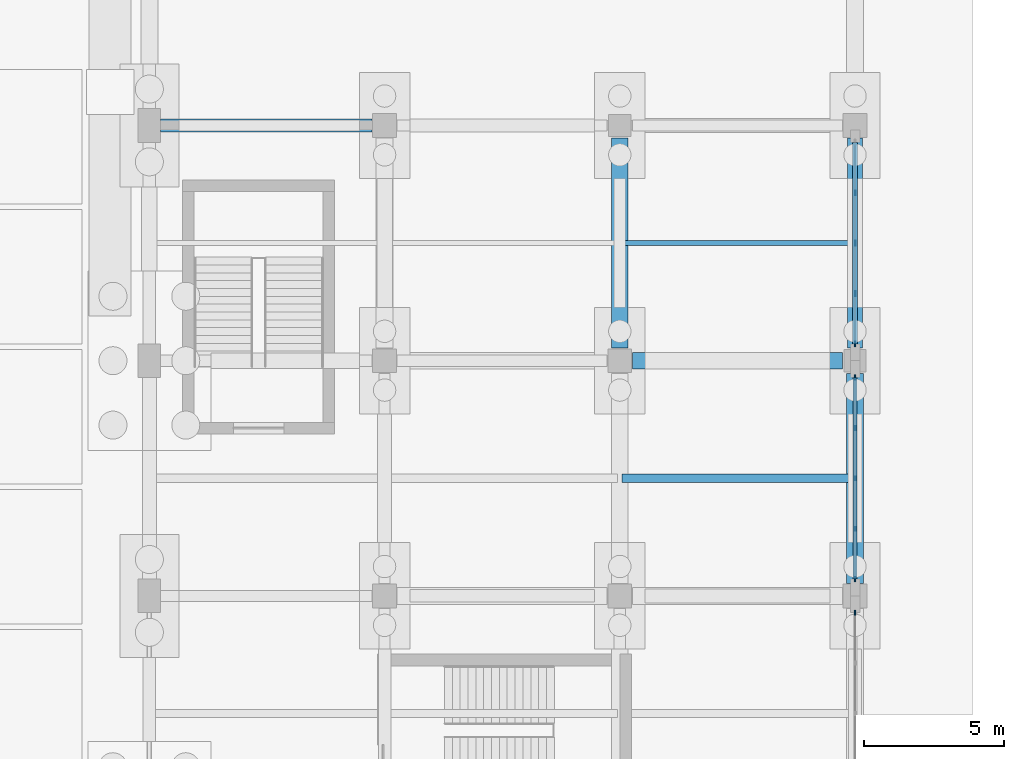
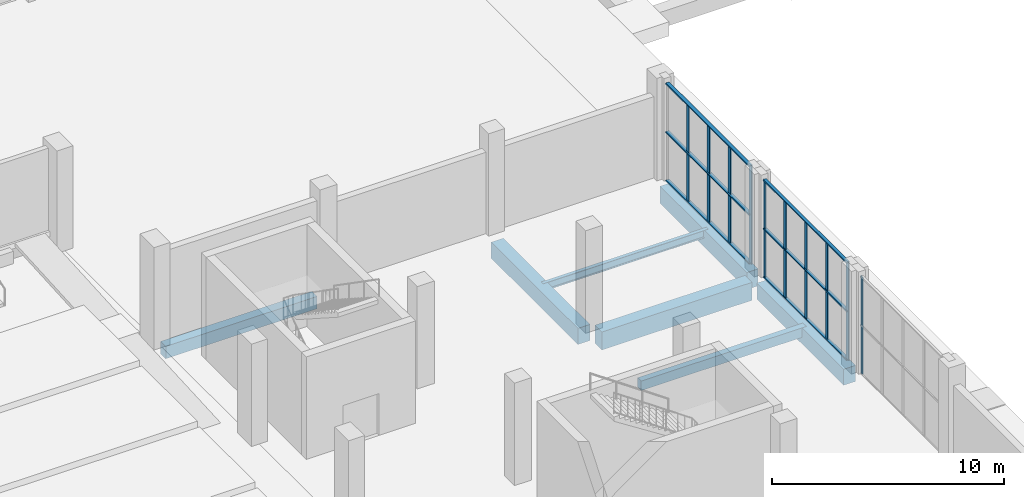
# One storey, part 40 of 82: 16 members, 7 beams, 3 elements without a shape of their own.
"""IFC4 building model written with IfcOpenShell, lengths in metres."""

import ifcopenshell
import ifcopenshell.guid

model = None  # the IFC model being written
_history = None  # IfcOwnerHistory: only IFC2X3 demands one
_inside = {}  # id of a spatial element -> (the spatial element, [elements in it])
_under = {}  # id of a project, library or spatial element -> (it, [spatial elements below it])
_declared = {}  # id of a project -> (the project, [libraries it declares])
_typed = {}  # id of a type object -> (the type object, [elements of that type])
_made_of = {}  # id of a material, layer set ... -> (it, [elements and type objects made of it])


def new_model(schema):
    """Start an empty IFC model of exactly this schema.

    Asked for "IFC4X3", IfcOpenShell would pick the latest addendum, in which some entities
    have other attributes; the version numbers below select the first issue.
    IFC2X3 requires an IfcOwnerHistory on every rooted entity: one is made here for all.
    """
    global model, _history
    if schema == "IFC4X3":
        model = ifcopenshell.file(schema_version=(4, 3, 0, 0))
    else:
        model = ifcopenshell.file(schema=schema)
    _inside.clear()
    _under.clear()
    _declared.clear()
    _typed.clear()
    _made_of.clear()
    _history = None
    if model.schema == "IFC2X3":
        org = make("IfcOrganization", Name="unknown")
        user = make(
            "IfcPersonAndOrganization",
            ThePerson=make("IfcPerson", FamilyName="unknown"),
            TheOrganization=org,
        )
        app = make(
            "IfcApplication",
            ApplicationDeveloper=org,
            Version="unknown",
            ApplicationFullName="unknown",
            ApplicationIdentifier="unknown",
        )
        _history = make(
            "IfcOwnerHistory",
            OwningUser=user,
            OwningApplication=app,
            ChangeAction="ADDED",
            CreationDate=0,
        )
    return model


def make(cls, **values):
    """One entity of the class cls with the attributes given. An attribute that is None is left unset."""
    return model.create_entity(
        cls, **{name: value for name, value in values.items() if value is not None}
    )


def rooted(cls, **values):
    """An entity with a GlobalId (a new one), such as an element, a storey or a relation."""
    return make(cls, GlobalId=ifcopenshell.guid.new(), OwnerHistory=_history, **values)


def si_unit(unit_type, name, prefix=None):
    """IfcSIUnit, for example si_unit("LENGTHUNIT", "METRE", prefix="MILLI")."""
    return make("IfcSIUnit", UnitType=unit_type, Prefix=prefix, Name=name)


def derived_unit(unit_type, elements):
    """IfcDerivedUnit: a product of units, each with its exponent."""
    return make(
        "IfcDerivedUnit",
        Elements=[
            make("IfcDerivedUnitElement", Unit=unit, Exponent=power)
            for unit, power in elements
        ],
        UnitType=unit_type,
    )


def assignment(units):
    """IfcUnitAssignment: the units of a project."""
    return None if units is None else make("IfcUnitAssignment", Units=units)


def point(xyz):
    """IfcCartesianPoint."""
    return None if xyz is None else make("IfcCartesianPoint", Coordinates=xyz)


def direction(xyz):
    """IfcDirection."""
    return None if xyz is None else make("IfcDirection", DirectionRatios=xyz)


def frame(location, z_axis=None, x_axis=None):
    """IfcAxis2Placement3D, a coordinate frame: its origin and axes. An axis left out is left unset."""
    return make(
        "IfcAxis2Placement3D",
        Location=point(location),
        Axis=direction(z_axis),
        RefDirection=direction(x_axis),
    )


def frame_2d(location, x_axis=None):
    """IfcAxis2Placement2D, a coordinate frame in the plane: its origin and x axis."""
    return make(
        "IfcAxis2Placement2D", Location=point(location), RefDirection=direction(x_axis)
    )


def origin():
    """The frame at (0, 0, 0) with its axes left unset."""
    return frame((0.0, 0.0, 0.0))


def origin_2d():
    """The frame at (0, 0) in the plane with its x axis left unset."""
    return frame_2d((0.0, 0.0))


def place(relative_to, where):
    """IfcLocalPlacement: puts the frame where relative to a parent placement (None: the world)."""
    return make(
        "IfcLocalPlacement", PlacementRelTo=relative_to, RelativePlacement=where
    )


def context(
    kind, dimensions, precision=None, world=None, true_north=None, identifier=None
):
    """IfcGeometricRepresentationContext, for example the 3D "Model" context."""
    return make(
        "IfcGeometricRepresentationContext",
        ContextIdentifier=identifier,
        ContextType=kind,
        CoordinateSpaceDimension=dimensions,
        Precision=precision,
        WorldCoordinateSystem=world,
        TrueNorth=true_north,
    )


def subcontext(parent, identifier, kind, view, scale=None):
    """IfcGeometricRepresentationSubContext, for example "Body" below "Model"."""
    return make(
        "IfcGeometricRepresentationSubContext",
        ContextIdentifier=identifier,
        ContextType=kind,
        ParentContext=parent,
        TargetScale=scale,
        TargetView=view,
    )


def project(units=None, contexts=None):
    """IfcProject with its units and contexts."""
    return rooted(
        "IfcProject",
        Name="project",
        RepresentationContexts=contexts,
        UnitsInContext=assignment(units),
    )


def spatial(cls, under=None, at=None, **own):
    """A site, building, storey or space (cls), placed at a placement, below another one or the project."""
    s = rooted(cls, ObjectPlacement=at, **own)
    if under is not None:
        _under.setdefault(under.id(), (under, []))[1].append(s)
    return s


def profile(cls, at=None, kind="AREA", **sizes):
    """A parametric profile (cls). Its sizes go by their IFC names, for example OverallWidth=200.0."""
    return make(cls, ProfileType=kind, Position=at, **sizes)


def rectangle(**sizes):
    """IfcRectangleProfileDef."""
    return profile("IfcRectangleProfileDef", **sizes)


def i_section(**sizes):
    """IfcIShapeProfileDef."""
    return profile("IfcIShapeProfileDef", **sizes)


def extrude(swept, where, along, depth):
    """IfcExtrudedAreaSolid: the profile swept, set in the frame where, extruded along a direction by depth."""
    return make(
        "IfcExtrudedAreaSolid",
        SweptArea=swept,
        Position=where,
        ExtrudedDirection=direction(along),
        Depth=depth,
    )


def shape(context_of_items, identifier, shape_type, items):
    """IfcShapeRepresentation: the items that make up one representation, for example the "Body"."""
    return make(
        "IfcShapeRepresentation",
        ContextOfItems=context_of_items,
        RepresentationIdentifier=identifier,
        RepresentationType=shape_type,
        Items=items,
    )


def material(Name=None, Category=None):
    """IfcMaterial."""
    return make("IfcMaterial", Name=Name, Category=Category)


def material_profile(
    of_material, cross_section, Name=None, Category=None, Priority=None
):
    """IfcMaterialProfile: a cross section and its material."""
    return make(
        "IfcMaterialProfile",
        Name=Name,
        Material=of_material,
        Profile=cross_section,
        Priority=Priority,
        Category=Category,
    )


def profile_set(profiles, Name=None, composite=None):
    """IfcMaterialProfileSet."""
    return make(
        "IfcMaterialProfileSet",
        Name=Name,
        MaterialProfiles=profiles,
        CompositeProfile=composite,
    )


def made_of(thing, what):
    """Note that an element or type object is made of a material, layer set ...; save() writes the relation."""
    if what is not None:
        _made_of.setdefault(what.id(), (what, []))[1].append(thing)
    return thing


def type_object(cls, material=None, **own):
    """A type object (cls), such as IfcWallType, which elements share."""
    return made_of(rooted(cls, **own), material)


def element(
    cls,
    number,
    at=None,
    inside=None,
    cuts=None,
    type_object=None,
    material=None,
    context=None,
    identifier="Body",
    shape_type=None,
    held_by="IfcProductDefinitionShape",
    body=None,
    shapes=None,
    **own,
):
    """One element of the class cls, such as IfcWall. Its Tag is "e" and its number.

    at: its placement. inside: the storey or other place that contains it. cuts: it is an
    opening in that element (IfcRelVoidsElement). A single representation is given by context,
    identifier, shape_type and body (its items); several are given by shapes. held_by: the class
    of the entity that holds the representations. save() writes the other relations.
    """
    e = rooted(cls, Tag="e%d" % number, ObjectPlacement=at, **own)
    if body is not None:
        shapes = [shape(context, identifier, shape_type, body)]
    if shapes is not None:
        e.Representation = make(held_by, Representations=shapes)
    if inside is not None:
        _inside.setdefault(inside.id(), (inside, []))[1].append(e)
    if cuts is not None:
        rooted(
            "IfcRelVoidsElement", RelatingBuildingElement=cuts, RelatedOpeningElement=e
        )
    if type_object is not None:
        _typed.setdefault(type_object.id(), (type_object, []))[1].append(e)
    return made_of(e, material)


def aggregate(whole, parts):
    """IfcRelAggregates: a whole, such as a stair, and the parts it consists of."""
    return rooted("IfcRelAggregates", RelatingObject=whole, RelatedObjects=parts)


def save(model, path):
    """Write the relations noted so far, then the file.

    IfcRelAggregates (storeys below a building ...), IfcRelContainedInSpatialStructure (elements
    in a storey), IfcRelDefinesByType, IfcRelAssociatesMaterial and IfcRelDeclares: one each for
    every whole, place, type object, material and project.
    """
    for whole, parts in _under.values():
        aggregate(whole, parts)
    for where, things in _inside.values():
        rooted(
            "IfcRelContainedInSpatialStructure",
            RelatedElements=things,
            RelatingStructure=where,
        )
    for kind, things in _typed.values():
        rooted("IfcRelDefinesByType", RelatedObjects=things, RelatingType=kind)
    for what, things in _made_of.values():
        rooted("IfcRelAssociatesMaterial", RelatedObjects=things, RelatingMaterial=what)
    for by, libraries in _declared.values():
        rooted("IfcRelDeclares", RelatingContext=by, RelatedDefinitions=libraries)
    model.write(path)


model = new_model("IFC4")

# Units and contexts
model_context = context("Model", 3, precision=1e-05, world=origin(), true_north=direction((0.0, 1.0)))
body_context = subcontext(model_context, "Body", "Model", "MODEL_VIEW")
ifc_project = project(units=[si_unit("LENGTHUNIT", "METRE"), si_unit("AREAUNIT", "SQUARE_METRE"), si_unit("VOLUMEUNIT", "CUBIC_METRE"), si_unit("PLANEANGLEUNIT", "RADIAN"), si_unit("MASSUNIT", "GRAM", prefix="KILO"), derived_unit("THERMALTRANSMITTANCEUNIT", [(si_unit("POWERUNIT", "WATT"), 1), (si_unit("LENGTHUNIT", "METRE"), -2), (si_unit("THERMODYNAMICTEMPERATUREUNIT", "KELVIN"), -1)])], contexts=[model_context])

# Site, building, storey
site_placement = place(None, origin())
site = spatial("IfcSite", under=ifc_project, at=site_placement, CompositionType="ELEMENT")
building_placement = place(site_placement, origin())
building = spatial("IfcBuilding", under=site, at=building_placement, Name="Barrovel Congress Hotel", CompositionType="ELEMENT")
storey_placement = place(building_placement, origin())
storey = spatial("IfcBuildingStorey", under=building, at=storey_placement, Name="L00", CompositionType="ELEMENT", Elevation=0.0)

# Beams
ifc_material_1 = material(Name="Concrete C40", Category="concrete")
ifc_material_profile_1 = material_profile(ifc_material_1, rectangle(XDim=0.300048828125, YDim=0.5, at=origin_2d()), Name="RC300x500")
ifc_profile_set_1 = profile_set([ifc_material_profile_1], Name="Concrete C40")
beam_type_1 = type_object("IfcBeamType", Name="BM-RC300x500", PredefinedType="JOIST", material=ifc_profile_set_1)
beam_1_placement = place(storey_placement, frame((50.47998046875, 67.199951171875, -0.570068359375), z_axis=(1.0, 0.0, 0.0), x_axis=(0.0, 1.0, 0.0)))
element("IfcBeam", 1, at=beam_1_placement, inside=storey, type_object=beam_type_1, Name="JST:L00:50.4:67.2", PredefinedType="JOIST", context=body_context, shape_type="SweptSolid", body=[
    extrude(rectangle(XDim=0.300048828125, YDim=0.5, at=origin_2d()), origin(), (0.0, 0.0, 1.0), 8.239990234375),
])
ifc_material_profile_2 = material_profile(ifc_material_1, rectangle(XDim=0.449951171875, YDim=0.64990234375, at=origin_2d()), Name="RC450x650")
ifc_profile_set_2 = profile_set([ifc_material_profile_2], Name="Concrete C40")
beam_type_2 = type_object("IfcBeamType", Name="BM-RC450x650", PredefinedType="BEAM", material=ifc_profile_set_2)
beam_2_placement = place(storey_placement, frame((34.0, 79.800048828125, -0.64501953125), z_axis=(1.0, 0.0, 0.0), x_axis=(0.0, 1.0, 0.0)))
element("IfcBeam", 2, at=beam_2_placement, inside=storey, type_object=beam_type_2, Name="BMX:L00:79.8:33.6-42.0", PredefinedType="BEAM", context=body_context, shape_type="SweptSolid", body=[
    extrude(rectangle(XDim=0.449951171875, YDim=0.64990234375, at=origin_2d()), origin(), (0.0, 0.0, 1.0), 7.550048828125),
])
ifc_material_profile_3 = material_profile(ifc_material_1, rectangle(XDim=0.550048828125, YDim=0.89990234375, at=origin_2d()), Name="RC550x900")
ifc_profile_set_3 = profile_set([ifc_material_profile_3], Name="Concrete C40")
beam_type_3 = type_object("IfcBeamType", Name="BM-RC550x900", PredefinedType="BEAM", material=ifc_profile_set_3)
beam_3_placement = place(storey_placement, frame((58.800048828125, 71.85009765625, -0.77001953125), z_axis=(0.0, 1.0, 0.0), x_axis=(-1.0, 0.0, 0.0)))
element("IfcBeam", 3, at=beam_3_placement, inside=storey, type_object=beam_type_3, Name="BMY:L00:58.8:71.4-79.8", PredefinedType="BEAM", context=body_context, shape_type="SweptSolid", body=[
    extrude(rectangle(XDim=0.550048828125, YDim=0.89990234375, at=origin_2d()), origin(), (0.0, 0.0, 1.0), 7.5),
])
ifc_material_profile_4 = material_profile(ifc_material_1, rectangle(XDim=0.60009765625, YDim=0.85009765625, at=origin_2d()), Name="RC600x850")
ifc_profile_set_4 = profile_set([ifc_material_profile_4], Name="Concrete C40")
beam_type_4 = type_object("IfcBeamType", Name="BM-RC600x850", PredefinedType="BEAM", material=ifc_profile_set_4)
for number, where, z_axis, x_axis, name in (
    (4, (50.39990234375, 71.85009765625, -0.7451171875), (0.0, 1.0, 0.0), (-1.0, 0.0, 0.0), "BMY:L00:50.4:71.4-79.8"),
    (5, (58.800048828125, 63.449951171875, -0.7451171875), (0.0, 1.0, 0.0), (-1.0, 0.0, 0.0), "BMY:L00:58.8:63.0-71.4"),
):
    element("IfcBeam", number, at=place(storey_placement, frame(where, z_axis=z_axis, x_axis=x_axis)), inside=storey, type_object=beam_type_4, Name=name, PredefinedType="BEAM", context=body_context, shape_type="SweptSolid", body=[
        extrude(rectangle(XDim=0.60009765625, YDim=0.85009765625, at=origin_2d()), origin(), (0.0, 0.0, 1.0), 7.5),
    ])
ifc_material_profile_5 = material_profile(ifc_material_1, rectangle(XDim=0.60009765625, YDim=0.949951171875, at=origin_2d()), Name="RC600x950")
ifc_profile_set_5 = profile_set([ifc_material_profile_5], Name="Concrete C40")
beam_type_5 = type_object("IfcBeamType", Name="BM-RC600x950", PredefinedType="BEAM", material=ifc_profile_set_5)
beam_4_placement = place(storey_placement, frame((50.85009765625, 71.39990234375, -0.794921875), z_axis=(1.0, 0.0, 0.0), x_axis=(0.0, 1.0, 0.0)))
element("IfcBeam", 6, at=beam_4_placement, inside=storey, type_object=beam_type_5, Name="BMX:L00:71.4:50.4-58.8", PredefinedType="BEAM", context=body_context, shape_type="SweptSolid", body=[
    extrude(rectangle(XDim=0.60009765625, YDim=0.949951171875, at=origin_2d()), origin(), (0.0, 0.0, 1.0), 7.5),
])

# Curtain wall, member
ifc_material_2 = material(Name="Anodised Aluminium Alloy 6063-T6", Category="aluminium")
curtain_wall_type = type_object("IfcCurtainWallType", Name="CW-ST-7200x3600", PredefinedType="USERDEFINED", material=ifc_material_2)
curtain_wall_1_placement = place(storey_placement, origin())
curtain_wall_1 = element("IfcCurtainWall", 7, at=curtain_wall_1_placement, inside=storey, type_object=curtain_wall_type, Name="CW:L00:CW:54.6", ObjectType="STICK CURTAIN WALL", PredefinedType="USERDEFINED")
ifc_material_profile_6 = material_profile(ifc_material_2, rectangle(XDim=0.06005859375, YDim=0.1650390625, at=origin_2d()), Name="AL-M60x165")
ifc_profile_set_6 = profile_set([ifc_material_profile_6], Name="Anodised Aluminium Alloy 6063-T6")
member_type_1 = type_object("IfcMemberType", Name="CWM-AL-M60x165", PredefinedType="MULLION", material=ifc_profile_set_6)
member_1_placement = place(storey_placement, frame((58.800048828125, 62.39990234375, 0.0), z_axis=(0.0, 0.0, 1.0), x_axis=(1.0, 0.0, 0.0)))
member_1 = element("IfcMember", 8, at=member_1_placement, type_object=member_type_1, Name="CW:L00:CW:54.6:M4", PredefinedType="MULLION", context=body_context, shape_type="SweptSolid", body=[
    extrude(rectangle(XDim=0.06005859375, YDim=0.1650390625, at=origin_2d()), origin(), (0.0, 0.0, 1.0), 5.1201171875),
])
aggregate(curtain_wall_1, [member_1])

# Curtain wall, members
curtain_wall_2_placement = place(storey_placement, origin())
curtain_wall_2 = element("IfcCurtainWall", 9, at=curtain_wall_2_placement, inside=storey, type_object=curtain_wall_type, Name="CW:L00:CW:63.0", ObjectType="STICK CURTAIN WALL", PredefinedType="USERDEFINED")
ifc_material_profile_7 = material_profile(ifc_material_2, rectangle(XDim=0.06494140625, YDim=0.18994140625, at=origin_2d()), Name="AL-M65x190")
ifc_profile_set_7 = profile_set([ifc_material_profile_7], Name="Anodised Aluminium Alloy 6063-T6")
member_type_2 = type_object("IfcMemberType", Name="CWM-AL-M65x190", PredefinedType="MULLION", material=ifc_profile_set_7)
member_2_placement = place(storey_placement, frame((58.800048828125, 63.60009765625, 0.0), z_axis=(0.0, 0.0, 1.0), x_axis=(1.0, 0.0, 0.0)))
member_2 = element("IfcMember", 10, at=member_2_placement, type_object=member_type_2, Name="CW:L00:CW:63.0:M0", PredefinedType="MULLION", context=body_context, shape_type="SweptSolid", body=[
    extrude(rectangle(XDim=0.06494140625, YDim=0.18994140625, at=origin_2d()), origin(), (0.0, 0.0, 1.0), 5.1201171875),
])
member_3_placement = place(storey_placement, frame((58.800048828125, 65.39990234375, 0.0), z_axis=(0.0, 0.0, 1.0), x_axis=(1.0, 0.0, 0.0)))
member_3 = element("IfcMember", 11, at=member_3_placement, type_object=member_type_2, Name="CW:L00:CW:63.0:M1", PredefinedType="MULLION", context=body_context, shape_type="SweptSolid", body=[
    extrude(rectangle(XDim=0.06494140625, YDim=0.18994140625, at=origin_2d()), origin(), (0.0, 0.0, 1.0), 5.1201171875),
])
member_4_placement = place(storey_placement, frame((58.800048828125, 67.199951171875, 0.0), z_axis=(0.0, 0.0, 1.0), x_axis=(1.0, 0.0, 0.0)))
member_4 = element("IfcMember", 12, at=member_4_placement, type_object=member_type_2, Name="CW:L00:CW:63.0:M2", PredefinedType="MULLION", context=body_context, shape_type="SweptSolid", body=[
    extrude(rectangle(XDim=0.06494140625, YDim=0.18994140625, at=origin_2d()), origin(), (0.0, 0.0, 1.0), 5.1201171875),
])
member_5_placement = place(storey_placement, frame((58.800048828125, 69.0, 0.0), z_axis=(0.0, 0.0, 1.0), x_axis=(1.0, 0.0, 0.0)))
member_5 = element("IfcMember", 13, at=member_5_placement, type_object=member_type_2, Name="CW:L00:CW:63.0:M3", PredefinedType="MULLION", context=body_context, shape_type="SweptSolid", body=[
    extrude(rectangle(XDim=0.06494140625, YDim=0.18994140625, at=origin_2d()), origin(), (0.0, 0.0, 1.0), 5.1201171875),
])
member_6_placement = place(storey_placement, frame((58.800048828125, 70.800048828125, 0.0), z_axis=(0.0, 0.0, 1.0), x_axis=(1.0, 0.0, 0.0)))
member_6 = element("IfcMember", 14, at=member_6_placement, type_object=member_type_2, Name="CW:L00:CW:63.0:M4", PredefinedType="MULLION", context=body_context, shape_type="SweptSolid", body=[
    extrude(rectangle(XDim=0.06494140625, YDim=0.18994140625, at=origin_2d()), origin(), (0.0, 0.0, 1.0), 5.1201171875),
])

curtain_wall_3_placement = place(storey_placement, origin())
curtain_wall_3 = element("IfcCurtainWall", 15, at=curtain_wall_3_placement, inside=storey, type_object=curtain_wall_type, Name="CW:L00:CW:71.4", ObjectType="STICK CURTAIN WALL", PredefinedType="USERDEFINED")
ifc_material_profile_8 = material_profile(ifc_material_2, rectangle(XDim=0.06494140625, YDim=0.219970703125, at=origin_2d()), Name="AL-M65x220")
ifc_profile_set_8 = profile_set([ifc_material_profile_8], Name="Anodised Aluminium Alloy 6063-T6")
member_type_3 = type_object("IfcMemberType", Name="CWM-AL-M65x220", PredefinedType="MULLION", material=ifc_profile_set_8)
member_7_placement = place(storey_placement, frame((58.800048828125, 72.0, 0.0), z_axis=(0.0, 0.0, 1.0), x_axis=(1.0, 0.0, 0.0)))
member_7 = element("IfcMember", 16, at=member_7_placement, type_object=member_type_3, Name="CW:L00:CW:71.4:M0", PredefinedType="MULLION", context=body_context, shape_type="SweptSolid", body=[
    extrude(rectangle(XDim=0.06494140625, YDim=0.219970703125, at=origin_2d()), origin(), (0.0, 0.0, 1.0), 5.1201171875),
])
member_8_placement = place(storey_placement, frame((58.800048828125, 73.800048828125, 0.0), z_axis=(0.0, 0.0, 1.0), x_axis=(1.0, 0.0, 0.0)))
member_8 = element("IfcMember", 17, at=member_8_placement, type_object=member_type_3, Name="CW:L00:CW:71.4:M1", PredefinedType="MULLION", context=body_context, shape_type="SweptSolid", body=[
    extrude(rectangle(XDim=0.06494140625, YDim=0.219970703125, at=origin_2d()), origin(), (0.0, 0.0, 1.0), 5.1201171875),
])
member_9_placement = place(storey_placement, frame((58.800048828125, 75.60009765625, 0.0), z_axis=(0.0, 0.0, 1.0), x_axis=(1.0, 0.0, 0.0)))
member_9 = element("IfcMember", 18, at=member_9_placement, type_object=member_type_3, Name="CW:L00:CW:71.4:M2", PredefinedType="MULLION", context=body_context, shape_type="SweptSolid", body=[
    extrude(rectangle(XDim=0.06494140625, YDim=0.219970703125, at=origin_2d()), origin(), (0.0, 0.0, 1.0), 5.1201171875),
])
member_10_placement = place(storey_placement, frame((58.800048828125, 77.39990234375, 0.0), z_axis=(0.0, 0.0, 1.0), x_axis=(1.0, 0.0, 0.0)))
member_10 = element("IfcMember", 19, at=member_10_placement, type_object=member_type_3, Name="CW:L00:CW:71.4:M3", PredefinedType="MULLION", context=body_context, shape_type="SweptSolid", body=[
    extrude(rectangle(XDim=0.06494140625, YDim=0.219970703125, at=origin_2d()), origin(), (0.0, 0.0, 1.0), 5.1201171875),
])

# Member
ifc_material_profile_9 = material_profile(ifc_material_2, rectangle(XDim=0.14990234375, YDim=0.06494140625, at=origin_2d()), Name="AL-T65x150")
ifc_profile_set_9 = profile_set([ifc_material_profile_9], Name="Anodised Aluminium Alloy 6063-T6")
member_type_4 = type_object("IfcMemberType", Name="CWT-AL-T65x150", PredefinedType="USERDEFINED", material=ifc_profile_set_9)
member_11_placement = place(storey_placement, frame((58.800048828125, 63.60009765625, 0.0), z_axis=(0.0, 1.0, 0.0), x_axis=(-1.0, 0.0, 0.0)))
member_11 = element("IfcMember", 20, at=member_11_placement, type_object=member_type_4, Name="CW:L00:CW:63.0:T0", ObjectType="TRANSOM", PredefinedType="USERDEFINED", context=body_context, shape_type="SweptSolid", body=[
    extrude(rectangle(XDim=0.14990234375, YDim=0.06494140625, at=origin_2d()), origin(), (0.0, 0.0, 1.0), 7.199951171875),
])

member_12_placement = place(storey_placement, frame((58.800048828125, 63.60009765625, 2.56005859375), z_axis=(0.0, 1.0, 0.0), x_axis=(-1.0, 0.0, 0.0)))
member_12 = element("IfcMember", 21, at=member_12_placement, type_object=member_type_4, Name="CW:L00:CW:63.0:T1", ObjectType="TRANSOM", PredefinedType="USERDEFINED", context=body_context, shape_type="SweptSolid", body=[
    extrude(rectangle(XDim=0.14990234375, YDim=0.06494140625, at=origin_2d()), origin(), (0.0, 0.0, 1.0), 7.199951171875),
])

member_13_placement = place(storey_placement, frame((58.800048828125, 63.60009765625, 5.1201171875), z_axis=(0.0, 1.0, 0.0), x_axis=(-1.0, 0.0, 0.0)))
member_13 = element("IfcMember", 22, at=member_13_placement, type_object=member_type_4, Name="CW:L00:CW:63.0:T2", ObjectType="TRANSOM", PredefinedType="USERDEFINED", context=body_context, shape_type="SweptSolid", body=[
    extrude(rectangle(XDim=0.14990234375, YDim=0.06494140625, at=origin_2d()), origin(), (0.0, 0.0, 1.0), 7.199951171875),
])

aggregate(curtain_wall_2, [member_2, member_3, member_4, member_5, member_6, member_11, member_12, member_13])

ifc_material_profile_10 = material_profile(ifc_material_2, rectangle(XDim=0.179931640625, YDim=0.06494140625, at=origin_2d()), Name="AL-T65x180")
ifc_profile_set_10 = profile_set([ifc_material_profile_10], Name="Anodised Aluminium Alloy 6063-T6")
member_type_5 = type_object("IfcMemberType", Name="CWT-AL-T65x180", PredefinedType="USERDEFINED", material=ifc_profile_set_10)
member_14_placement = place(storey_placement, frame((58.800048828125, 72.0, 0.0), z_axis=(0.0, 1.0, 0.0), x_axis=(-1.0, 0.0, 0.0)))
member_14 = element("IfcMember", 23, at=member_14_placement, type_object=member_type_5, Name="CW:L00:CW:71.4:T0", ObjectType="TRANSOM", PredefinedType="USERDEFINED", context=body_context, shape_type="SweptSolid", body=[
    extrude(rectangle(XDim=0.179931640625, YDim=0.06494140625, at=origin_2d()), origin(), (0.0, 0.0, 1.0), 7.199951171875),
])

member_15_placement = place(storey_placement, frame((58.800048828125, 72.0, 2.56005859375), z_axis=(0.0, 1.0, 0.0), x_axis=(-1.0, 0.0, 0.0)))
member_15 = element("IfcMember", 24, at=member_15_placement, type_object=member_type_5, Name="CW:L00:CW:71.4:T1", ObjectType="TRANSOM", PredefinedType="USERDEFINED", context=body_context, shape_type="SweptSolid", body=[
    extrude(rectangle(XDim=0.179931640625, YDim=0.06494140625, at=origin_2d()), origin(), (0.0, 0.0, 1.0), 7.199951171875),
])

member_16_placement = place(storey_placement, frame((58.800048828125, 72.0, 5.1201171875), z_axis=(0.0, 1.0, 0.0), x_axis=(-1.0, 0.0, 0.0)))
member_16 = element("IfcMember", 25, at=member_16_placement, type_object=member_type_5, Name="CW:L00:CW:71.4:T2", ObjectType="TRANSOM", PredefinedType="USERDEFINED", context=body_context, shape_type="SweptSolid", body=[
    extrude(rectangle(XDim=0.179931640625, YDim=0.06494140625, at=origin_2d()), origin(), (0.0, 0.0, 1.0), 7.199951171875),
])

aggregate(curtain_wall_3, [member_7, member_8, member_9, member_10, member_14, member_15, member_16])

# Beam
ifc_material_3 = material(Name="Steel ASTM A992 Grade 50", Category="steel")
ifc_material_profile_11 = material_profile(ifc_material_3, i_section(OverallWidth=0.177001953125, OverallDepth=0.403076171875, WebThickness=0.007568359375, FlangeThickness=0.010986328125, FilletRadius=0.011962890625, at=origin_2d()), Name="W410x53")
ifc_profile_set_11 = profile_set([ifc_material_profile_11], Name="Steel ASTM A992 Grade 50")
beam_type_6 = type_object("IfcBeamType", Name="SBM-W410x53", PredefinedType="JOIST", material=ifc_profile_set_11)
beam_5_placement = place(storey_placement, frame((50.47998046875, 75.60009765625, -0.521484375), z_axis=(1.0, 0.0, 0.0), x_axis=(0.0, 1.0, 0.0)))
element("IfcBeam", 26, at=beam_5_placement, inside=storey, type_object=beam_type_6, Name="JST:L00:50.4:75.6", PredefinedType="JOIST", context=body_context, shape_type="SweptSolid", body=[
    extrude(i_section(OverallWidth=0.177001953125, OverallDepth=0.403076171875, WebThickness=0.007568359375, FlangeThickness=0.010986328125, FilletRadius=0.011962890625, at=origin_2d()), origin(), (0.0, 0.0, 1.0), 8.239990234375),
])

save(model, "model.ifc")
